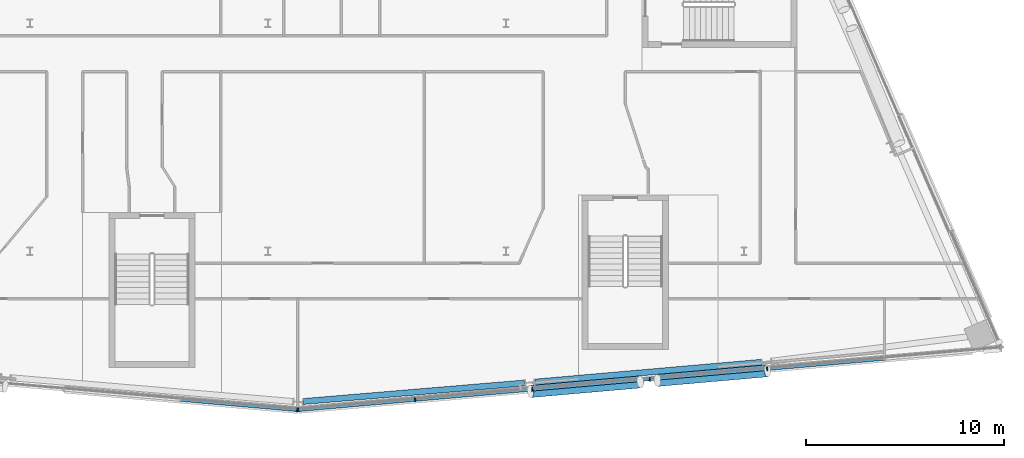
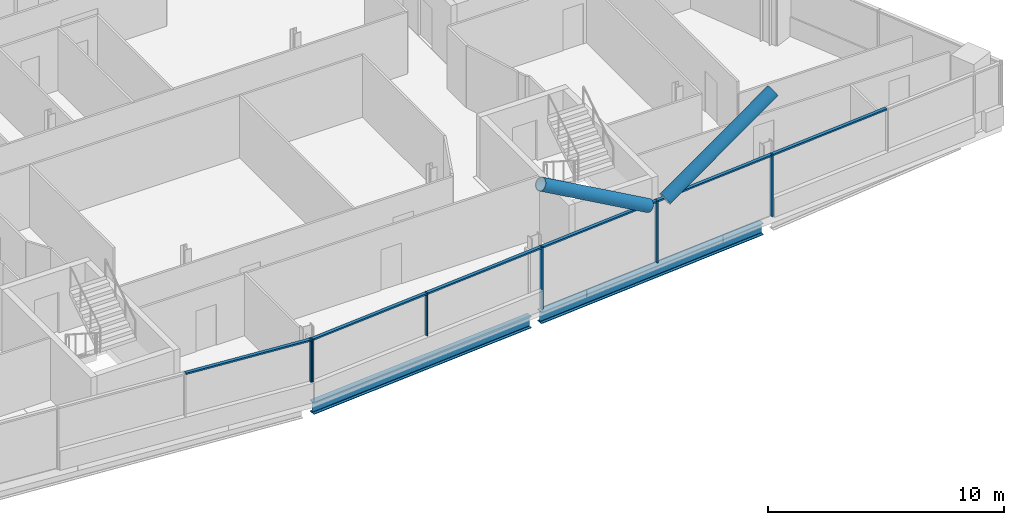
# One storey, part 8 of 27: 14 members, 2 beams, 2 elements without a shape of their own.
"""IFC4 building model written with IfcOpenShell, lengths in metres."""

from ifc_helpers import new_model, si_unit, direction, frame, origin, origin_2d, place, context, subcontext, project, spatial, rectangle, hollow_circle, i_section, extrude, material, material_profile, profile_set, type_object, element, aggregate, save


model = new_model("IFC4")

# Units and contexts
model_context = context("Model", 3, precision=1e-05, world=origin(), true_north=direction((0.0, 1.0)))
body_context = subcontext(model_context, "Body", "Model", "MODEL_VIEW")
ifc_project = project(units=[si_unit("LENGTHUNIT", "METRE"), si_unit("AREAUNIT", "SQUARE_METRE"), si_unit("VOLUMEUNIT", "CUBIC_METRE"), si_unit("PLANEANGLEUNIT", "RADIAN"), si_unit("MASSUNIT", "GRAM", prefix="KILO")], contexts=[model_context])

# Site, building, storey
site_placement = place(None, origin())
site = spatial("IfcSite", under=ifc_project, at=site_placement, CompositionType="ELEMENT")
building_placement = place(site_placement, origin())
building = spatial("IfcBuilding", under=site, at=building_placement, Name="Wharfspan Tower", CompositionType="ELEMENT")
storey_placement = place(building_placement, frame((0.0, 0.0, 243.100098)))
storey = spatial("IfcBuildingStorey", under=building, at=storey_placement, Name="L61", CompositionType="ELEMENT", Elevation=243.100098)

# Beams
ifc_material_1 = material(Name="Steel S355J2", Category="steel")
ifc_material_profile_1 = material_profile(ifc_material_1, i_section(OverallWidth=0.300049, OverallDepth=0.600098, WebThickness=0.015381, FlangeThickness=0.030029, FilletRadius=0.0271, at=origin_2d()))
ifc_profile_set_1 = profile_set([ifc_material_profile_1], Name="Steel S355J2")
beam_type = type_object("IfcBeamType", Name="Edge beam HEB 600", PredefinedType="SPANDREL", material=ifc_profile_set_1)
beam_1_placement = place(storey_placement, frame((49.783691, 3.923828, -0.700195), z_axis=(0.996517, 0.083395, 0.0), x_axis=(-0.083395, 0.996517, 0.0)))
element("IfcBeam", 1, at=beam_1_placement, inside=storey, type_object=beam_type, Name="Edge beam S2 L61 PS1.3 to PS2.1", PredefinedType="SPANDREL", context=body_context, shape_type="SweptSolid", body=[
    extrude(i_section(OverallWidth=0.300049, OverallDepth=0.600098, WebThickness=0.015381, FlangeThickness=0.030029, FilletRadius=0.0271, at=origin_2d()), origin(), (0.0, 0.0, 1.0), 11.200684),
])
beam_2_placement = place(storey_placement, frame((61.459473, 4.901855, -0.700195), z_axis=(0.996195, 0.087157, 0.0), x_axis=(-0.087157, 0.996195, 0.0)))
element("IfcBeam", 2, at=beam_2_placement, inside=storey, type_object=beam_type, Name="Edge beam S2 L61 PS2.1 to PS2.2", PredefinedType="SPANDREL", context=body_context, shape_type="SweptSolid", body=[
    extrude(i_section(OverallWidth=0.300049, OverallDepth=0.600098, WebThickness=0.015381, FlangeThickness=0.030029, FilletRadius=0.0271, at=origin_2d()), origin(), (0.0, 0.0, 1.0), 11.462402),
])

# Curtain wall, member
ifc_material_2 = material(Name="Aluminium 6063-T6", Category="aluminium")
curtain_wall_type = type_object("IfcCurtainWallType", Name="CURTAIN WALL FACETED FRONT", PredefinedType="NOTDEFINED", material=ifc_material_2)
curtain_wall_1_placement = place(storey_placement, origin())
curtain_wall_1 = element("IfcCurtainWall", 3, at=curtain_wall_1_placement, inside=storey, type_object=curtain_wall_type, Name="Curtain wall S1", PredefinedType="NOTDEFINED")
ifc_material_profile_2 = material_profile(ifc_material_2, rectangle(XDim=0.199951, YDim=0.060059, at=origin_2d()))
ifc_profile_set_2 = profile_set([ifc_material_profile_2], Name="Aluminium 6063-T6")
member_type_1 = type_object("IfcMemberType", Name="MULLION FACETED FRONT 60x200", PredefinedType="MULLION", material=ifc_profile_set_2)
member_1_placement = place(storey_placement, frame((49.470215, 3.496826, 1.0), z_axis=(0.0, 0.0, 1.0), x_axis=(0.087156, 0.996197, 0.0)))
member_1 = element("IfcMember", 4, at=member_1_placement, type_object=member_type_1, Name="Curtain wall S1 mullion 6", PredefinedType="MULLION", context=body_context, shape_type="SweptSolid", body=[
    extrude(rectangle(XDim=0.199951, YDim=0.060059, at=origin_2d()), origin(), (0.0, 0.0, 1.0), 2.199951),
])

# Curtain wall, members
curtain_wall_2_placement = place(storey_placement, origin())
curtain_wall_2 = element("IfcCurtainWall", 5, at=curtain_wall_2_placement, inside=storey, type_object=curtain_wall_type, Name="Curtain wall S2", PredefinedType="NOTDEFINED")
member_2_placement = place(storey_placement, frame((49.529785, 3.496826, 1.0), z_axis=(0.0, 0.0, 1.0), x_axis=(-0.087156, 0.996197, 0.0)))
member_2 = element("IfcMember", 6, at=member_2_placement, type_object=member_type_1, Name="Curtain wall S2 mullion 1", PredefinedType="MULLION", context=body_context, shape_type="SweptSolid", body=[
    extrude(rectangle(XDim=0.199951, YDim=0.060059, at=origin_2d()), origin(), (0.0, 0.0, 1.0), 2.199951),
])
member_3_placement = place(storey_placement, frame((55.416748, 4.011719, 1.0), z_axis=(0.0, 0.0, 1.0), x_axis=(-0.087156, 0.996197, 0.0)))
member_3 = element("IfcMember", 7, at=member_3_placement, type_object=member_type_1, Name="Curtain wall S2 mullion 2", PredefinedType="MULLION", context=body_context, shape_type="SweptSolid", body=[
    extrude(rectangle(XDim=0.199951, YDim=0.060059, at=origin_2d()), origin(), (0.0, 0.0, 1.0), 2.199951),
])
member_4_placement = place(storey_placement, frame((61.333252, 4.529541, 0.0), z_axis=(0.0, 0.0, 1.0), x_axis=(-0.087156, 0.996197, 0.0)))
member_4 = element("IfcMember", 8, at=member_4_placement, type_object=member_type_1, Name="Curtain wall S2 mullion 3", PredefinedType="MULLION", context=body_context, shape_type="SweptSolid", body=[
    extrude(rectangle(XDim=0.199951, YDim=0.060059, at=origin_2d()), origin(), (0.0, 0.0, 1.0), 3.199951),
])
member_5_placement = place(storey_placement, frame((67.25, 5.047119, 0.0), z_axis=(0.0, 0.0, 1.0), x_axis=(-0.087156, 0.996197, 0.0)))
member_5 = element("IfcMember", 9, at=member_5_placement, type_object=member_type_1, Name="Curtain wall S2 mullion 4", PredefinedType="MULLION", context=body_context, shape_type="SweptSolid", body=[
    extrude(rectangle(XDim=0.199951, YDim=0.060059, at=origin_2d()), origin(), (0.0, 0.0, 1.0), 3.199951),
])
member_6_placement = place(storey_placement, frame((73.166748, 5.564697, 0.0), z_axis=(0.0, 0.0, 1.0), x_axis=(-0.087156, 0.996197, 0.0)))
member_6 = element("IfcMember", 10, at=member_6_placement, type_object=member_type_1, Name="Curtain wall S2 mullion 5", PredefinedType="MULLION", context=body_context, shape_type="SweptSolid", body=[
    extrude(rectangle(XDim=0.199951, YDim=0.060059, at=origin_2d()), origin(), (0.0, 0.0, 1.0), 3.199951),
])

# Members
ifc_material_3 = material(Name="Steel S460NH", Category="steel")
ifc_material_profile_3 = material_profile(ifc_material_3, hollow_circle(Radius=0.304932, WallThickness=0.024902, at=origin_2d()))
ifc_profile_set_3 = profile_set([ifc_material_profile_3], Name="Steel S460NH")
member_type_2 = type_object("IfcMemberType", Name="Mega brace CHS 610x25", PredefinedType="BRACE", material=ifc_profile_set_3)
for number, where, z_axis, x_axis, name in (
    (11, (67.638428, 4.985596, 3.159424), (0.853829, 0.074698, 0.515166), (-0.087155, 0.996197, 3e-06), "Mega brace S2 L61 part 2"),
    (12, (66.778564, 4.9104, 3.159424), (-0.853829, -0.074698, 0.515166), (0.087155, -0.996197, 3e-06), "Mega brace S2 L61 part 4"),
):
    element("IfcMember", number, at=place(storey_placement, frame(where, z_axis=z_axis, x_axis=x_axis)), inside=storey, type_object=member_type_2, Name=name, PredefinedType="BRACE", context=body_context, shape_type="SweptSolid", body=[
        extrude(hollow_circle(Radius=0.304932, WallThickness=0.024902, at=origin_2d()), origin(), (0.0, 0.0, 1.0), 6.484375),
    ])

# Member
ifc_material_profile_4 = material_profile(ifc_material_2, rectangle(XDim=0.159912, YDim=0.080078, at=origin_2d()))
ifc_profile_set_4 = profile_set([ifc_material_profile_4], Name="Aluminium 6063-T6")
member_type_3 = type_object("IfcMemberType", Name="TRANSOM FACETED FRONT 80x160", PredefinedType="USERDEFINED", material=ifc_profile_set_4)
member_7_placement = place(storey_placement, frame((43.629883, 4.007812, 3.159912), z_axis=(0.996192, -0.087191, 0.0), x_axis=(0.087191, 0.996192, 0.0)))
member_7 = element("IfcMember", 13, at=member_7_placement, type_object=member_type_3, Name="Curtain wall S1 transom 5", ObjectType="TRANSOM", PredefinedType="USERDEFINED", context=body_context, shape_type="SweptSolid", body=[
    extrude(rectangle(XDim=0.159912, YDim=0.080078, at=origin_2d()), origin(), (0.0, 0.0, 1.0), 5.83252),
])

aggregate(curtain_wall_1, [member_1, member_7])

member_8_placement = place(storey_placement, frame((49.559814, 3.499268, 3.159912), z_axis=(0.996191, 0.087193, 0.0), x_axis=(-0.087193, 0.996191, 0.0)))
member_8 = element("IfcMember", 14, at=member_8_placement, type_object=member_type_3, Name="Curtain wall S2 transom 1", ObjectType="TRANSOM", PredefinedType="USERDEFINED", context=body_context, shape_type="SweptSolid", body=[
    extrude(rectangle(XDim=0.159912, YDim=0.080078, at=origin_2d()), origin(), (0.0, 0.0, 1.0), 5.849121),
])

member_9_placement = place(storey_placement, frame((55.446533, 4.014404, 3.159912), z_axis=(0.996194, 0.087162, 0.0), x_axis=(-0.087162, 0.996194, 0.0)))
member_9 = element("IfcMember", 15, at=member_9_placement, type_object=member_type_3, Name="Curtain wall S2 transom 2", ObjectType="TRANSOM", PredefinedType="USERDEFINED", context=body_context, shape_type="SweptSolid", body=[
    extrude(rectangle(XDim=0.159912, YDim=0.080078, at=origin_2d()), origin(), (0.0, 0.0, 1.0), 5.879395),
])

member_10_placement = place(storey_placement, frame((61.363281, 4.531982, 3.159912), z_axis=(0.996194, 0.087162, 0.0), x_axis=(-0.087162, 0.996194, 0.0)))
member_10 = element("IfcMember", 16, at=member_10_placement, type_object=member_type_3, Name="Curtain wall S2 transom 3", ObjectType="TRANSOM", PredefinedType="USERDEFINED", context=body_context, shape_type="SweptSolid", body=[
    extrude(rectangle(XDim=0.159912, YDim=0.080078, at=origin_2d()), origin(), (0.0, 0.0, 1.0), 5.879395),
])

member_11_placement = place(storey_placement, frame((67.279785, 5.049805, 3.159912), z_axis=(0.996198, 0.087121, 0.0), x_axis=(-0.087121, 0.996198, 0.0)))
member_11 = element("IfcMember", 17, at=member_11_placement, type_object=member_type_3, Name="Curtain wall S2 transom 4", ObjectType="TRANSOM", PredefinedType="USERDEFINED", context=body_context, shape_type="SweptSolid", body=[
    extrude(rectangle(XDim=0.159912, YDim=0.080078, at=origin_2d()), origin(), (0.0, 0.0, 1.0), 5.879395),
])

member_12_placement = place(storey_placement, frame((73.196533, 5.567383, 3.159912), z_axis=(0.996194, 0.087162, 0.0), x_axis=(-0.087162, 0.996194, 0.0)))
member_12 = element("IfcMember", 18, at=member_12_placement, type_object=member_type_3, Name="Curtain wall S2 transom 5", ObjectType="TRANSOM", PredefinedType="USERDEFINED", context=body_context, shape_type="SweptSolid", body=[
    extrude(rectangle(XDim=0.159912, YDim=0.080078, at=origin_2d()), origin(), (0.0, 0.0, 1.0), 5.879395),
])

aggregate(curtain_wall_2, [member_2, member_3, member_4, member_5, member_6, member_8, member_9, member_10, member_11, member_12])

save(model, "model.ifc")
